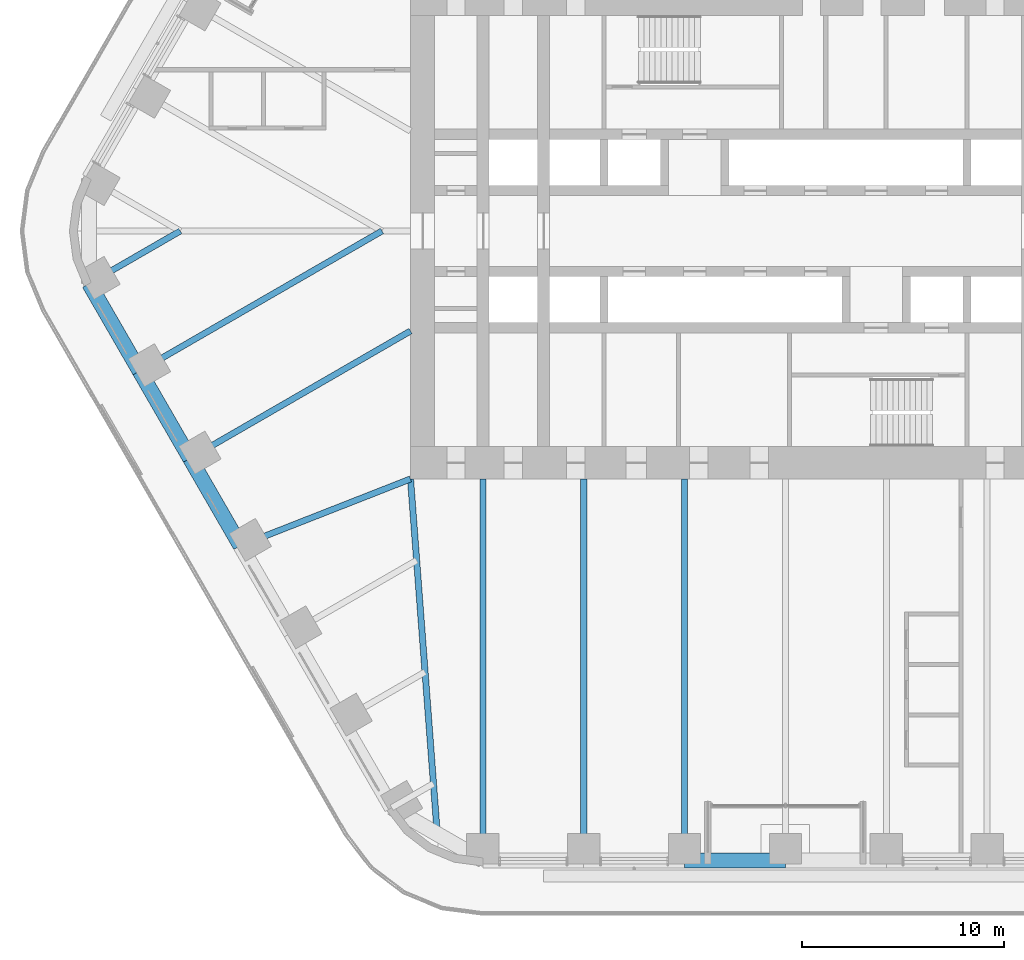
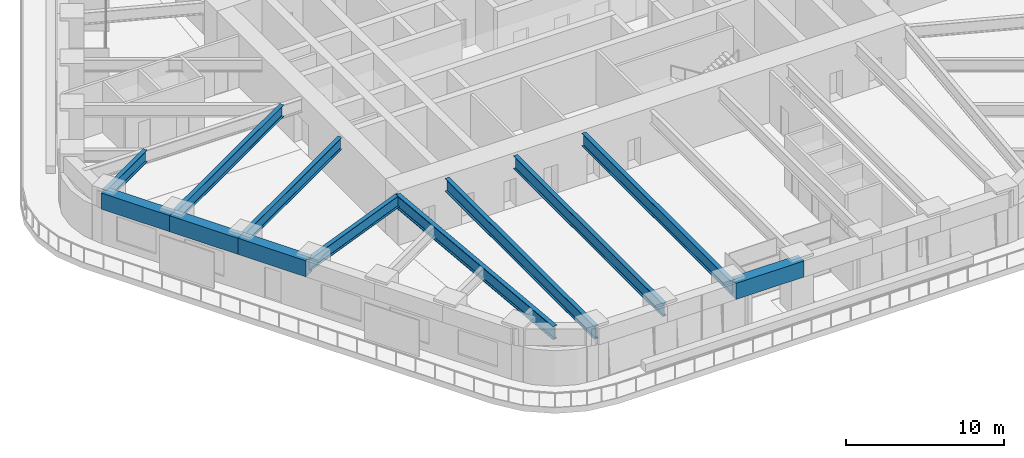
# One storey, part 3 of 24: 12 beams.
"""IFC4 building model written with IfcOpenShell, lengths in metres."""

from ifc_helpers import new_model, si_unit, direction, frame, origin, origin_2d, place, context, subcontext, project, spatial, rectangle, i_section, extrude, material, material_profile, profile_set, type_object, element, save


model = new_model("IFC4")

# Units and contexts
model_context = context("Model", 3, precision=1e-05, world=origin(), true_north=direction((0.0, 1.0)))
body_context = subcontext(model_context, "Body", "Model", "MODEL_VIEW")
ifc_project = project(units=[si_unit("LENGTHUNIT", "METRE"), si_unit("AREAUNIT", "SQUARE_METRE"), si_unit("VOLUMEUNIT", "CUBIC_METRE"), si_unit("PLANEANGLEUNIT", "RADIAN"), si_unit("MASSUNIT", "GRAM", prefix="KILO")], contexts=[model_context])

# Site, building, storey
site_placement = place(None, origin())
site = spatial("IfcSite", under=ifc_project, at=site_placement, CompositionType="ELEMENT")
building_placement = place(site_placement, origin())
building = spatial("IfcBuilding", under=site, at=building_placement, Name="Tarfa Lantern Tower", CompositionType="ELEMENT")
storey_placement = place(building_placement, frame((0.0, 0.0, 144.699951171875)))
storey = spatial("IfcBuildingStorey", under=building, at=storey_placement, Name="L32", CompositionType="ELEMENT", Elevation=144.699951171875)

# Beams
ifc_material_1 = material(Name="Concrete C80/95", Category="concrete")
ifc_material_profile_1 = material_profile(ifc_material_1, rectangle(XDim=0.75, YDim=1.25, at=origin_2d()), Name="RC 750x1250")
ifc_profile_set_1 = profile_set([ifc_material_profile_1], Name="Concrete C80/95")
beam_type_1 = type_object("IfcBeamType", Name="EB2 RC 750x1250", PredefinedType="SPANDREL", material=ifc_profile_set_1)
for number, where, z_axis, x_axis, name in (
    (1, (-34.54296875, -2.610107421875, 3.375), (0.500022324899, -0.866012514114, 0.0), (0.866012514114, 0.500022324899, 0.0), "Edge beam SW0"),
    (2, (-32.041015625, -6.943359375, 3.375), (0.500022324899, -0.866012514114, 0.0), (0.866012514114, 0.500022324899, 0.0), "Edge beam SW1"),
    (3, (-29.5390625, -11.276611328125, 3.375), (0.499964603504, -0.866045838996, 0.0), (0.866045838996, 0.499964603504, 0.0), "Edge beam SW2"),
    (4, (-5.003662109375, -31.219970703125, 3.375), (1.0, 0.0, 0.0), (0.0, 1.0, 0.0), "Edge beam S2"),
):
    element("IfcBeam", number, at=place(storey_placement, frame(where, z_axis=z_axis, x_axis=x_axis)), inside=storey, type_object=beam_type_1, Name=name, PredefinedType="SPANDREL", context=body_context, shape_type="SweptSolid", body=[
        extrude(rectangle(XDim=0.75, YDim=1.25, at=origin_2d()), origin(), (0.0, 0.0, 1.0), 5.003662109375),
    ])
ifc_material_2 = material(Name="Steel S460M", Category="steel")
ifc_material_profile_2 = material_profile(ifc_material_2, i_section(OverallWidth=0.302001953125, OverallDepth=1.008056640625, WebThickness=0.02099609375, FlangeThickness=0.0400390625, FilletRadius=0.030029296875, at=origin_2d()), Name="UB1016x305x349")
ifc_profile_set_2 = profile_set([ifc_material_profile_2], Name="Steel S460M")
beam_type_2 = type_object("IfcBeamType", Name="UB1016x305x349", PredefinedType="BEAM", material=ifc_profile_set_2)
for number, where, z_axis, x_axis, name in (
    (5, (-15.010986328125, -31.219970703125, 3.49609375), (0.0, 1.0, 0.0), (-1.0, 0.0, 0.0), "Floor beam S0"),
    (6, (-10.00732421875, -31.219970703125, 3.49609375), (0.0, 1.0, 0.0), (-1.0, 0.0, 0.0), "Floor beam S1"),
    (7, (-5.003662109375, -31.219970703125, 3.49609375), (0.0, 1.0, 0.0), (-1.0, 0.0, 0.0), "Floor beam S2"),
):
    element("IfcBeam", number, at=place(storey_placement, frame(where, z_axis=z_axis, x_axis=x_axis)), inside=storey, type_object=beam_type_2, Name=name, PredefinedType="BEAM", context=body_context, shape_type="SweptSolid", body=[
        extrude(i_section(OverallWidth=0.302001953125, OverallDepth=1.008056640625, WebThickness=0.02099609375, FlangeThickness=0.0400390625, FilletRadius=0.030029296875, at=origin_2d()), origin(), (0.0, 0.0, 1.0), 18.919921875),
    ])
ifc_material_profile_3 = material_profile(ifc_material_2, i_section(OverallWidth=0.30859375, OverallDepth=1.036376953125, WebThickness=0.030029296875, FlangeThickness=0.05419921875, FilletRadius=0.030029296875, at=origin_2d()), Name="UB1016x305x487")
ifc_profile_set_3 = profile_set([ifc_material_profile_3], Name="Steel S460M")
beam_type_3 = type_object("IfcBeamType", Name="UB1016x305x487", PredefinedType="BEAM", material=ifc_profile_set_3)
beam_1_placement = place(storey_placement, frame((-18.60009765625, -12.300048828125, 3.48193359375), z_axis=(0.075211516041, -0.99716760269, 0.0), x_axis=(0.99716760269, 0.075211516041, 0.0)))
element("IfcBeam", 8, at=beam_1_placement, inside=storey, type_object=beam_type_3, Name="Hip girder SW", PredefinedType="BEAM", context=body_context, shape_type="SweptSolid", body=[
    extrude(i_section(OverallWidth=0.30859375, OverallDepth=1.036376953125, WebThickness=0.030029296875, FlangeThickness=0.05419921875, FilletRadius=0.030029296875, at=origin_2d()), origin(), (0.0, 0.0, 1.0), 17.6650390625),
])
ifc_material_profile_4 = material_profile(ifc_material_2, i_section(OverallWidth=0.305419921875, OverallDepth=0.91845703125, WebThickness=0.017333984375, FlangeThickness=0.02783203125, FilletRadius=0.01904296875, at=origin_2d()), Name="UB914x305x253")
ifc_profile_set_4 = profile_set([ifc_material_profile_4], Name="Steel S460M")
beam_type_4 = type_object("IfcBeamType", Name="UB914x305x253", PredefinedType="BEAM", material=ifc_profile_set_4)
beam_2_placement = place(storey_placement, frame((-34.54296875, -2.610107421875, 3.540771484375), z_axis=(0.866021250859, 0.500007193008, 0.0), x_axis=(-0.500007193008, 0.866021250859, 0.0)))
element("IfcBeam", 9, at=beam_2_placement, inside=storey, type_object=beam_type_4, Name="Floor beam SW0", PredefinedType="BEAM", context=body_context, shape_type="SweptSolid", body=[
    extrude(i_section(OverallWidth=0.305419921875, OverallDepth=0.91845703125, WebThickness=0.017333984375, FlangeThickness=0.02783203125, FilletRadius=0.01904296875, at=origin_2d()), origin(), (0.0, 0.0, 1.0), 5.22021484375),
])
beam_3_placement = place(storey_placement, frame((-32.041015625, -6.943359375, 3.540771484375), z_axis=(0.866023096411, 0.500003996466, 0.0), x_axis=(-0.500003996466, 0.866023096411, 0.0)))
element("IfcBeam", 10, at=beam_3_placement, inside=storey, type_object=beam_type_4, Name="Floor beam SW1", PredefinedType="BEAM", context=body_context, shape_type="SweptSolid", body=[
    extrude(i_section(OverallWidth=0.305419921875, OverallDepth=0.91845703125, WebThickness=0.017333984375, FlangeThickness=0.02783203125, FilletRadius=0.01904296875, at=origin_2d()), origin(), (0.0, 0.0, 1.0), 13.88671875),
])
beam_4_placement = place(storey_placement, frame((-29.5390625, -11.276611328125, 3.540771484375), z_axis=(0.866023362995, 0.500003534735, 0.0), x_axis=(-0.500003534735, 0.866023362995, 0.0)))
element("IfcBeam", 11, at=beam_4_placement, inside=storey, type_object=beam_type_4, Name="Floor beam SW2", PredefinedType="BEAM", context=body_context, shape_type="SweptSolid", body=[
    extrude(i_section(OverallWidth=0.305419921875, OverallDepth=0.91845703125, WebThickness=0.017333984375, FlangeThickness=0.02783203125, FilletRadius=0.01904296875, at=origin_2d()), origin(), (0.0, 0.0, 1.0), 12.63134765625),
])
beam_5_placement = place(storey_placement, frame((-27.037353515625, -15.610107421875, 3.540771484375), z_axis=(0.930923282782, 0.365214788274, 0.0), x_axis=(-0.365214788274, 0.930923282782, 0.0)))
element("IfcBeam", 12, at=beam_5_placement, inside=storey, type_object=beam_type_4, Name="Floor beam SW3", PredefinedType="BEAM", context=body_context, shape_type="SweptSolid", body=[
    extrude(i_section(OverallWidth=0.305419921875, OverallDepth=0.91845703125, WebThickness=0.017333984375, FlangeThickness=0.02783203125, FilletRadius=0.01904296875, at=origin_2d()), origin(), (0.0, 0.0, 1.0), 9.063232421875),
])

save(model, "model.ifc")
